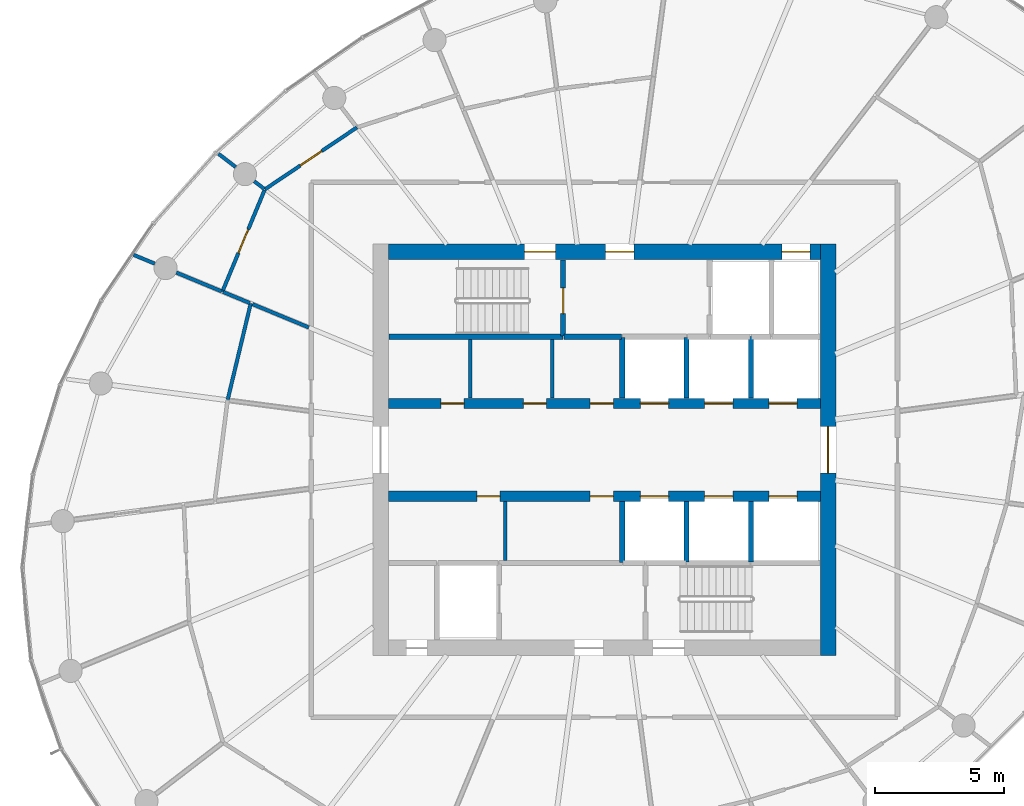
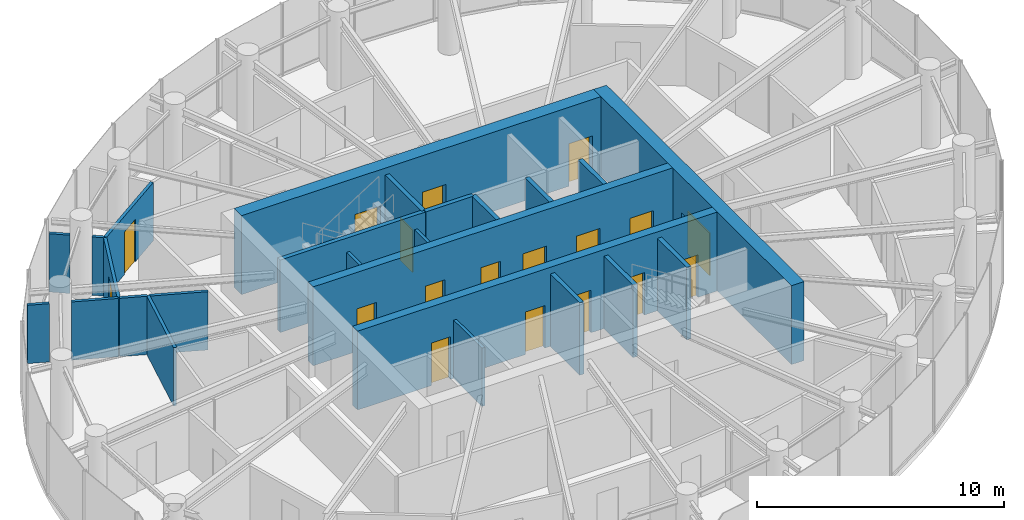
# One storey, part 11 of 15: 25 walls, 18 doors, 18 openings.
"""IFC4 building model written with IfcOpenShell, lengths in metres."""

from ifc_helpers import new_model, si_unit, direction, frame, frame_2d, origin, place, context, subcontext, project, spatial, rectangle, extrude, source, transform, mapped, material, layer, layer_set, type_object, element, fill, save


model = new_model("IFC4")

# Units and contexts
model_context = context("Model", 3, precision=1e-05, world=origin(), true_north=direction((0.0, 1.0)))
body_context = subcontext(model_context, "Body", "Model", "MODEL_VIEW")
ifc_project = project(units=[si_unit("LENGTHUNIT", "METRE"), si_unit("AREAUNIT", "SQUARE_METRE"), si_unit("VOLUMEUNIT", "CUBIC_METRE"), si_unit("PLANEANGLEUNIT", "RADIAN"), si_unit("MASSUNIT", "GRAM", prefix="KILO")], contexts=[model_context])

# Site, building, storey
site_placement = place(None, origin())
site = spatial("IfcSite", under=ifc_project, at=site_placement, CompositionType="ELEMENT")
building_placement = place(site_placement, origin())
building = spatial("IfcBuilding", under=site, at=building_placement, Name="Spindrift Exchange Tower", CompositionType="ELEMENT")
storey_placement = place(building_placement, frame((0.0, 0.0, 191.60009765625)))
storey = spatial("IfcBuildingStorey", under=building, at=storey_placement, Name="L46", CompositionType="ELEMENT", Elevation=191.60009765625)

# Wall, opening, door
ifc_material_1 = material(Name="Concrete 50 MPa", Category="concrete")
ifc_layer_1 = layer(ifc_material_1, 0.60009765625)
ifc_layer_set_1 = layer_set([ifc_layer_1], Name="RC Core Wall 600 Concrete 50 MPa")
wall_type_1 = type_object("IfcWallType", Name="RC Core Wall 600 Concrete 50 MPa", PredefinedType="SHEAR", material=ifc_layer_set_1)
wall_1_placement = place(storey_placement, frame((60.699951171875, 40.0, 0.0), z_axis=(0.0, 0.0, 1.0), x_axis=(0.0, 1.0, 0.0)))
wall_1 = element("IfcWall", 1, at=wall_1_placement, inside=storey, type_object=wall_type_1, Name="Core wall E L46", PredefinedType="SHEAR", context=body_context, shape_type="SweptSolid", body=[
    extrude(rectangle(XDim=16.0, YDim=0.60009765625, at=frame_2d((8.0, 0.0))), origin(), (0.0, 0.0, 1.0), 3.89990234375),
])
opening_1_placement = place(wall_1_placement, frame((7.10009765625, 0.0, 0.0)))
opening_1 = element("IfcOpeningElement", 2, at=opening_1_placement, cuts=wall_1, Name="Opening L46-D2", PredefinedType="OPENING", context=body_context, shape_type="SweptSolid", body=[
    extrude(rectangle(XDim=1.800048828125, YDim=2.10009765625, at=frame_2d((0.89990234375, 1.050048828125))), frame((0.0, 0.31005859375, 0.0), z_axis=(0.0, -1.0, 0.0), x_axis=(1.0, 0.0, 0.0)), (0.0, 0.0, 1.0), 0.6201171875),
])
ifc_material_2 = material(Name="Timber-core fire door", Category="wood")
door_type_1 = type_object("IfcDoorType", Name="DR-LOBBY-1800", OperationType="NOTDEFINED", PredefinedType="DOOR", material=ifc_material_2)
shared_shape_1 = source(origin(), body_context, "Body", "SweptSolid", [
    extrude(rectangle(XDim=1.800048828125, YDim=2.10009765625, at=frame_2d((0.89990234375, 1.050048828125))), frame((0.0, 0.02490234375, 0.0), z_axis=(0.0, -1.0, 0.0), x_axis=(1.0, 0.0, 0.0)), (0.0, 0.0, 1.0), 0.050048828125),
])
door_1_placement = place(opening_1_placement, origin())
door_1 = element("IfcDoor", 3, at=door_1_placement, inside=storey, type_object=door_type_1, Name="L46 Lobby door 2", OperationType="SINGLE_SWING_LEFT", OverallHeight=2.10009765625, OverallWidth=1.800048828125, PredefinedType="DOOR", context=body_context, shape_type="MappedRepresentation", body=[
    mapped(shared_shape_1, transform((0.0, 0.0, 0.0), scale=1.0)),
])
fill(opening_1, door_1)

# Wall, openings, doors
wall_2_placement = place(storey_placement, frame((60.39990234375, 55.699951171875, 0.0), z_axis=(0.0, 0.0, 1.0), x_axis=(-1.0, 0.0, 0.0)))
wall_2 = element("IfcWall", 4, at=wall_2_placement, inside=storey, type_object=wall_type_1, Name="Core wall N L46", PredefinedType="SHEAR", context=body_context, shape_type="SweptSolid", body=[
    extrude(rectangle(XDim=16.7998046875, YDim=0.60009765625, at=frame_2d((8.39990234375, 0.0))), origin(), (0.0, 0.0, 1.0), 3.89990234375),
])
opening_2_placement = place(wall_2_placement, frame((0.39990234375, 0.0, 0.0)))
opening_2 = element("IfcOpeningElement", 5, at=opening_2_placement, cuts=wall_2, Name="Opening L46-D11", PredefinedType="OPENING", context=body_context, shape_type="SweptSolid", body=[
    extrude(rectangle(XDim=1.10009765625, YDim=2.10009765625, at=frame_2d((0.550048828125, 1.050048828125))), frame((0.0, 0.31005859375, 0.0), z_axis=(0.0, -1.0, 0.0), x_axis=(1.0, 0.0, 0.0)), (0.0, 0.0, 1.0), 0.6201171875),
])
opening_3_placement = place(wall_2_placement, frame((10.300048828125, 0.0, 0.0)))
opening_3 = element("IfcOpeningElement", 6, at=opening_3_placement, cuts=wall_2, Name="Opening L46-D12", PredefinedType="OPENING", context=body_context, shape_type="SweptSolid", body=[
    extrude(rectangle(XDim=1.199951171875, YDim=2.10009765625, at=frame_2d((0.60009765625, 1.050048828125))), frame((0.0, 0.31005859375, 0.0), z_axis=(0.0, -1.0, 0.0), x_axis=(1.0, 0.0, 0.0)), (0.0, 0.0, 1.0), 0.6201171875),
])
opening_4_placement = place(wall_2_placement, frame((7.25, 0.0, 0.0)))
opening_4 = element("IfcOpeningElement", 7, at=opening_4_placement, cuts=wall_2, Name="Opening L46-D14", PredefinedType="OPENING", context=body_context, shape_type="SweptSolid", body=[
    extrude(rectangle(XDim=1.10009765625, YDim=2.10009765625, at=frame_2d((0.550048828125, 1.050048828125))), frame((0.0, 0.31005859375, 0.0), z_axis=(0.0, -1.0, 0.0), x_axis=(1.0, 0.0, 0.0)), (0.0, 0.0, 1.0), 0.6201171875),
])
ifc_material_3 = material(Name="Stainless steel landing door", Category="steel")
door_type_2 = type_object("IfcDoorType", Name="DR-LANDING-1100-SL", OperationType="DOUBLE_DOOR_SLIDING", PredefinedType="USERDEFINED", material=ifc_material_3)
shared_shape_2 = source(origin(), body_context, "Body", "SweptSolid", [
    extrude(rectangle(XDim=1.10009765625, YDim=2.10009765625, at=frame_2d((0.550048828125, 1.050048828125))), frame((0.0, 0.02490234375, 0.0), z_axis=(0.0, -1.0, 0.0), x_axis=(1.0, 0.0, 0.0)), (0.0, 0.0, 1.0), 0.050048828125),
])
door_2_placement = place(opening_2_placement, origin())
door_2 = element("IfcDoor", 8, at=door_2_placement, inside=storey, type_object=door_type_2, Name="L46 Lift landing door 11", ObjectType="LANDING DOOR", OperationType="DOUBLE_DOOR_SLIDING", OverallHeight=2.10009765625, OverallWidth=1.10009765625, PredefinedType="USERDEFINED", context=body_context, shape_type="MappedRepresentation", body=[
    mapped(shared_shape_2, transform((0.0, 0.0, 0.0), scale=1.0)),
])
fill(opening_2, door_2)
ifc_material_4 = material(Name="Steel fire door", Category="steel")
door_type_3 = type_object("IfcDoorType", Name="DR-STAIR-1200", OperationType="NOTDEFINED", PredefinedType="DOOR", material=ifc_material_4)
shared_shape_3 = source(origin(), body_context, "Body", "SweptSolid", [
    extrude(rectangle(XDim=1.199951171875, YDim=2.10009765625, at=frame_2d((0.60009765625, 1.050048828125))), frame((0.0, 0.02490234375, 0.0), z_axis=(0.0, -1.0, 0.0), x_axis=(1.0, 0.0, 0.0)), (0.0, 0.0, 1.0), 0.050048828125),
])
door_3_placement = place(opening_3_placement, origin())
door_3 = element("IfcDoor", 9, at=door_3_placement, inside=storey, type_object=door_type_3, Name="L46 Stair door 12", OperationType="SINGLE_SWING_RIGHT", OverallHeight=2.10009765625, OverallWidth=1.199951171875, PredefinedType="DOOR", context=body_context, shape_type="MappedRepresentation", body=[
    mapped(shared_shape_3, transform((0.0, 0.0, 0.0), scale=1.0)),
])
fill(opening_3, door_3)
door_type_4 = type_object("IfcDoorType", Name="DR-LOBBY-1100", OperationType="NOTDEFINED", PredefinedType="DOOR", material=ifc_material_2)
shared_shape_4 = source(origin(), body_context, "Body", "SweptSolid", [
    extrude(rectangle(XDim=1.10009765625, YDim=2.10009765625, at=frame_2d((0.550048828125, 1.050048828125))), frame((0.0, 0.02490234375, 0.0), z_axis=(0.0, -1.0, 0.0), x_axis=(1.0, 0.0, 0.0)), (0.0, 0.0, 1.0), 0.050048828125),
])
door_4_placement = place(opening_4_placement, origin())
door_4 = element("IfcDoor", 10, at=door_4_placement, inside=storey, type_object=door_type_4, Name="L46 Lobby door 14", OperationType="SINGLE_SWING_RIGHT", OverallHeight=2.10009765625, OverallWidth=1.10009765625, PredefinedType="DOOR", context=body_context, shape_type="MappedRepresentation", body=[
    mapped(shared_shape_4, transform((0.0, 0.0, 0.0), scale=1.0)),
])
fill(opening_4, door_4)

ifc_layer_2 = layer(ifc_material_1, 0.39990234375)
ifc_layer_set_2 = layer_set([ifc_layer_2], Name="RC Spine Wall 400 Concrete 50 MPa")
wall_type_2 = type_object("IfcWallType", Name="RC Spine Wall 400 Concrete 50 MPa", PredefinedType="SHEAR", material=ifc_layer_set_2)
wall_3_placement = place(storey_placement, frame((43.60009765625, 49.800048828125, 0.0), z_axis=(0.0, 0.0, 1.0), x_axis=(1.0, 0.0, 0.0)))
wall_3 = element("IfcWall", 11, at=wall_3_placement, inside=storey, type_object=wall_type_2, Name="Core spine wall N L46", PredefinedType="SHEAR", context=body_context, shape_type="SweptSolid", body=[
    extrude(rectangle(XDim=16.7998046875, YDim=0.39990234375, at=frame_2d((8.39990234375, 0.0))), origin(), (0.0, 0.0, 1.0), 3.89990234375),
])
opening_5_placement = place(wall_3_placement, frame((9.800048828125, 0.0, 0.0)))
opening_5 = element("IfcOpeningElement", 12, at=opening_5_placement, cuts=wall_3, Name="Opening L46-D3", PredefinedType="OPENING", context=body_context, shape_type="SweptSolid", body=[
    extrude(rectangle(XDim=1.10009765625, YDim=2.10009765625, at=frame_2d((0.550048828125, 1.050048828125))), frame((0.0, 0.2099609375, 0.0), z_axis=(0.0, -1.0, 0.0), x_axis=(1.0, 0.0, 0.0)), (0.0, 0.0, 1.0), 0.419921875),
])
opening_6_placement = place(wall_3_placement, frame((12.300048828125, 0.0, 0.0)))
opening_6 = element("IfcOpeningElement", 13, at=opening_6_placement, cuts=wall_3, Name="Opening L46-D4", PredefinedType="OPENING", context=body_context, shape_type="SweptSolid", body=[
    extrude(rectangle(XDim=1.10009765625, YDim=2.10009765625, at=frame_2d((0.550048828125, 1.050048828125))), frame((0.0, 0.2099609375, 0.0), z_axis=(0.0, -1.0, 0.0), x_axis=(1.0, 0.0, 0.0)), (0.0, 0.0, 1.0), 0.419921875),
])
opening_7_placement = place(wall_3_placement, frame((14.800048828125, 0.0, 0.0)))
opening_7 = element("IfcOpeningElement", 14, at=opening_7_placement, cuts=wall_3, Name="Opening L46-D5", PredefinedType="OPENING", context=body_context, shape_type="SweptSolid", body=[
    extrude(rectangle(XDim=1.10009765625, YDim=2.10009765625, at=frame_2d((0.550048828125, 1.050048828125))), frame((0.0, 0.2099609375, 0.0), z_axis=(0.0, -1.0, 0.0), x_axis=(1.0, 0.0, 0.0)), (0.0, 0.0, 1.0), 0.419921875),
])
opening_8_placement = place(wall_3_placement, frame((2.050048828125, 0.0, 0.0)))
opening_8 = element("IfcOpeningElement", 15, at=opening_8_placement, cuts=wall_3, Name="Opening L46-D50", PredefinedType="OPENING", context=body_context, shape_type="SweptSolid", body=[
    extrude(rectangle(XDim=0.89990234375, YDim=2.10009765625, at=frame_2d((0.449951171875, 1.050048828125))), frame((0.0, 0.2099609375, 0.0), z_axis=(0.0, -1.0, 0.0), x_axis=(1.0, 0.0, 0.0)), (0.0, 0.0, 1.0), 0.419921875),
])
opening_9_placement = place(wall_3_placement, frame((5.25, 0.0, 0.0)))
opening_9 = element("IfcOpeningElement", 16, at=opening_9_placement, cuts=wall_3, Name="Opening L46-D51", PredefinedType="OPENING", context=body_context, shape_type="SweptSolid", body=[
    extrude(rectangle(XDim=0.89990234375, YDim=2.10009765625, at=frame_2d((0.449951171875, 1.050048828125))), frame((0.0, 0.2099609375, 0.0), z_axis=(0.0, -1.0, 0.0), x_axis=(1.0, 0.0, 0.0)), (0.0, 0.0, 1.0), 0.419921875),
])
opening_10_placement = place(wall_3_placement, frame((7.85009765625, 0.0, 0.0)))
opening_10 = element("IfcOpeningElement", 17, at=opening_10_placement, cuts=wall_3, Name="Opening L46-D52", PredefinedType="OPENING", context=body_context, shape_type="SweptSolid", body=[
    extrude(rectangle(XDim=0.89990234375, YDim=2.10009765625, at=frame_2d((0.449951171875, 1.050048828125))), frame((0.0, 0.2099609375, 0.0), z_axis=(0.0, -1.0, 0.0), x_axis=(1.0, 0.0, 0.0)), (0.0, 0.0, 1.0), 0.419921875),
])
door_5_placement = place(opening_5_placement, origin())
door_5 = element("IfcDoor", 18, at=door_5_placement, inside=storey, type_object=door_type_2, Name="L46 Lift landing door 3", ObjectType="LANDING DOOR", OperationType="DOUBLE_DOOR_SLIDING", OverallHeight=2.10009765625, OverallWidth=1.10009765625, PredefinedType="USERDEFINED", context=body_context, shape_type="MappedRepresentation", body=[
    mapped(shared_shape_2, transform((0.0, 0.0, 0.0), scale=1.0)),
])
fill(opening_5, door_5)
door_6_placement = place(opening_6_placement, origin())
door_6 = element("IfcDoor", 19, at=door_6_placement, inside=storey, type_object=door_type_2, Name="L46 Lift landing door 4", ObjectType="LANDING DOOR", OperationType="DOUBLE_DOOR_SLIDING", OverallHeight=2.10009765625, OverallWidth=1.10009765625, PredefinedType="USERDEFINED", context=body_context, shape_type="MappedRepresentation", body=[
    mapped(shared_shape_2, transform((0.0, 0.0, 0.0), scale=1.0)),
])
fill(opening_6, door_6)
door_7_placement = place(opening_7_placement, origin())
door_7 = element("IfcDoor", 20, at=door_7_placement, inside=storey, type_object=door_type_2, Name="L46 Lift landing door 5", ObjectType="LANDING DOOR", OperationType="DOUBLE_DOOR_SLIDING", OverallHeight=2.10009765625, OverallWidth=1.10009765625, PredefinedType="USERDEFINED", context=body_context, shape_type="MappedRepresentation", body=[
    mapped(shared_shape_2, transform((0.0, 0.0, 0.0), scale=1.0)),
])
fill(opening_7, door_7)
ifc_material_5 = material(Name="Steel access door", Category="steel")
door_type_5 = type_object("IfcDoorType", Name="DR-RISER-900", OperationType="NOTDEFINED", PredefinedType="DOOR", material=ifc_material_5)
shared_shape_5 = source(origin(), body_context, "Body", "SweptSolid", [
    extrude(rectangle(XDim=0.89990234375, YDim=2.10009765625, at=frame_2d((0.449951171875, 1.050048828125))), frame((0.0, 0.02490234375, 0.0), z_axis=(0.0, -1.0, 0.0), x_axis=(1.0, 0.0, 0.0)), (0.0, 0.0, 1.0), 0.050048828125),
])
door_8_placement = place(opening_8_placement, origin())
door_8 = element("IfcDoor", 21, at=door_8_placement, inside=storey, type_object=door_type_5, Name="L46 Riser door 50", OperationType="SINGLE_SWING_RIGHT", OverallHeight=2.10009765625, OverallWidth=0.89990234375, PredefinedType="DOOR", context=body_context, shape_type="MappedRepresentation", body=[
    mapped(shared_shape_5, transform((0.0, 0.0, 0.0), scale=1.0)),
])
fill(opening_8, door_8)
door_9_placement = place(opening_9_placement, origin())
door_9 = element("IfcDoor", 22, at=door_9_placement, inside=storey, type_object=door_type_5, Name="L46 Riser door 51", OperationType="SINGLE_SWING_LEFT", OverallHeight=2.10009765625, OverallWidth=0.89990234375, PredefinedType="DOOR", context=body_context, shape_type="MappedRepresentation", body=[
    mapped(shared_shape_5, transform((0.0, 0.0, 0.0), scale=1.0)),
])
fill(opening_9, door_9)
door_10_placement = place(opening_10_placement, origin())
door_10 = element("IfcDoor", 23, at=door_10_placement, inside=storey, type_object=door_type_5, Name="L46 Riser door 52", OperationType="SINGLE_SWING_RIGHT", OverallHeight=2.10009765625, OverallWidth=0.89990234375, PredefinedType="DOOR", context=body_context, shape_type="MappedRepresentation", body=[
    mapped(shared_shape_5, transform((0.0, 0.0, 0.0), scale=1.0)),
])
fill(opening_10, door_10)

wall_4_placement = place(storey_placement, frame((43.60009765625, 46.199951171875, 0.0), z_axis=(0.0, 0.0, 1.0), x_axis=(1.0, 0.0, 0.0)))
wall_4 = element("IfcWall", 24, at=wall_4_placement, inside=storey, type_object=wall_type_2, Name="Core spine wall S L46", PredefinedType="SHEAR", context=body_context, shape_type="SweptSolid", body=[
    extrude(rectangle(XDim=16.7998046875, YDim=0.39990234375, at=frame_2d((8.39990234375, 0.0))), origin(), (0.0, 0.0, 1.0), 3.89990234375),
])
opening_11_placement = place(wall_4_placement, frame((9.800048828125, 0.0, 0.0)))
opening_11 = element("IfcOpeningElement", 25, at=opening_11_placement, cuts=wall_4, Name="Opening L46-D6", PredefinedType="OPENING", context=body_context, shape_type="SweptSolid", body=[
    extrude(rectangle(XDim=1.10009765625, YDim=2.10009765625, at=frame_2d((0.550048828125, 1.050048828125))), frame((0.0, 0.2099609375, 0.0), z_axis=(0.0, -1.0, 0.0), x_axis=(1.0, 0.0, 0.0)), (0.0, 0.0, 1.0), 0.419921875),
])
opening_12_placement = place(wall_4_placement, frame((12.300048828125, 0.0, 0.0)))
opening_12 = element("IfcOpeningElement", 26, at=opening_12_placement, cuts=wall_4, Name="Opening L46-D7", PredefinedType="OPENING", context=body_context, shape_type="SweptSolid", body=[
    extrude(rectangle(XDim=1.10009765625, YDim=2.10009765625, at=frame_2d((0.550048828125, 1.050048828125))), frame((0.0, 0.2099609375, 0.0), z_axis=(0.0, -1.0, 0.0), x_axis=(1.0, 0.0, 0.0)), (0.0, 0.0, 1.0), 0.419921875),
])
opening_13_placement = place(wall_4_placement, frame((14.800048828125, 0.0, 0.0)))
opening_13 = element("IfcOpeningElement", 27, at=opening_13_placement, cuts=wall_4, Name="Opening L46-D8", PredefinedType="OPENING", context=body_context, shape_type="SweptSolid", body=[
    extrude(rectangle(XDim=1.10009765625, YDim=2.10009765625, at=frame_2d((0.550048828125, 1.050048828125))), frame((0.0, 0.2099609375, 0.0), z_axis=(0.0, -1.0, 0.0), x_axis=(1.0, 0.0, 0.0)), (0.0, 0.0, 1.0), 0.419921875),
])
opening_14_placement = place(wall_4_placement, frame((3.449951171875, 0.0, 0.0)))
opening_14 = element("IfcOpeningElement", 28, at=opening_14_placement, cuts=wall_4, Name="Opening L46-D53", PredefinedType="OPENING", context=body_context, shape_type="SweptSolid", body=[
    extrude(rectangle(XDim=0.89990234375, YDim=2.10009765625, at=frame_2d((0.449951171875, 1.050048828125))), frame((0.0, 0.2099609375, 0.0), z_axis=(0.0, -1.0, 0.0), x_axis=(1.0, 0.0, 0.0)), (0.0, 0.0, 1.0), 0.419921875),
])
opening_15_placement = place(wall_4_placement, frame((7.85009765625, 0.0, 0.0)))
opening_15 = element("IfcOpeningElement", 29, at=opening_15_placement, cuts=wall_4, Name="Opening L46-D54", PredefinedType="OPENING", context=body_context, shape_type="SweptSolid", body=[
    extrude(rectangle(XDim=0.89990234375, YDim=2.10009765625, at=frame_2d((0.449951171875, 1.050048828125))), frame((0.0, 0.2099609375, 0.0), z_axis=(0.0, -1.0, 0.0), x_axis=(1.0, 0.0, 0.0)), (0.0, 0.0, 1.0), 0.419921875),
])
door_11_placement = place(opening_11_placement, origin())
door_11 = element("IfcDoor", 30, at=door_11_placement, inside=storey, type_object=door_type_2, Name="L46 Lift landing door 6", ObjectType="LANDING DOOR", OperationType="DOUBLE_DOOR_SLIDING", OverallHeight=2.10009765625, OverallWidth=1.10009765625, PredefinedType="USERDEFINED", context=body_context, shape_type="MappedRepresentation", body=[
    mapped(shared_shape_2, transform((0.0, 0.0, 0.0), scale=1.0)),
])
fill(opening_11, door_11)
door_12_placement = place(opening_12_placement, origin())
door_12 = element("IfcDoor", 31, at=door_12_placement, inside=storey, type_object=door_type_2, Name="L46 Lift landing door 7", ObjectType="LANDING DOOR", OperationType="DOUBLE_DOOR_SLIDING", OverallHeight=2.10009765625, OverallWidth=1.10009765625, PredefinedType="USERDEFINED", context=body_context, shape_type="MappedRepresentation", body=[
    mapped(shared_shape_2, transform((0.0, 0.0, 0.0), scale=1.0)),
])
fill(opening_12, door_12)
door_13_placement = place(opening_13_placement, origin())
door_13 = element("IfcDoor", 32, at=door_13_placement, inside=storey, type_object=door_type_2, Name="L46 Lift landing door 8", ObjectType="LANDING DOOR", OperationType="DOUBLE_DOOR_SLIDING", OverallHeight=2.10009765625, OverallWidth=1.10009765625, PredefinedType="USERDEFINED", context=body_context, shape_type="MappedRepresentation", body=[
    mapped(shared_shape_2, transform((0.0, 0.0, 0.0), scale=1.0)),
])
fill(opening_13, door_13)
door_14_placement = place(opening_14_placement, origin())
door_14 = element("IfcDoor", 33, at=door_14_placement, inside=storey, type_object=door_type_5, Name="L46 Riser door 53", OperationType="SINGLE_SWING_LEFT", OverallHeight=2.10009765625, OverallWidth=0.89990234375, PredefinedType="DOOR", context=body_context, shape_type="MappedRepresentation", body=[
    mapped(shared_shape_5, transform((0.0, 0.0, 0.0), scale=1.0)),
])
fill(opening_14, door_14)
door_15_placement = place(opening_15_placement, origin())
door_15 = element("IfcDoor", 34, at=door_15_placement, inside=storey, type_object=door_type_5, Name="L46 Riser door 54", OperationType="SINGLE_SWING_RIGHT", OverallHeight=2.10009765625, OverallWidth=0.89990234375, PredefinedType="DOOR", context=body_context, shape_type="MappedRepresentation", body=[
    mapped(shared_shape_5, transform((0.0, 0.0, 0.0), scale=1.0)),
])
fill(opening_15, door_15)

# Wall, opening, door
ifc_material_6 = material(Name="Fire-rated plasterboard partition", Category="gypsum")
ifc_layer_3 = layer(ifc_material_6, 0.139892578125)
ifc_layer_set_3 = layer_set([ifc_layer_3], Name="W-PART-140")
wall_type_3 = type_object("IfcWallType", Name="W-PART-140", PredefinedType="PARTITIONING", material=ifc_layer_set_3)
wall_5_placement = place(storey_placement, frame((38.80126953125, 58.127685546875, 0.0), z_axis=(0.0, 0.0, 1.0), x_axis=(0.829508088587, 0.558494700932, 0.0)))
wall_5 = element("IfcWall", 35, at=wall_5_placement, inside=storey, type_object=wall_type_3, Name="L46 Partition wall 43", PredefinedType="PARTITIONING", context=body_context, shape_type="SweptSolid", body=[
    extrude(rectangle(XDim=4.314208984375, YDim=0.139892578125, at=frame_2d((2.1572265625, 0.0))), origin(), (0.0, 0.0, 1.0), 2.8798828125),
])
opening_16_placement = place(wall_5_placement, frame((1.664306640625, 0.0, 0.0)))
opening_16 = element("IfcOpeningElement", 36, at=opening_16_placement, cuts=wall_5, Name="Opening L46-D48", PredefinedType="OPENING", context=body_context, shape_type="SweptSolid", body=[
    extrude(rectangle(XDim=1.0, YDim=2.10009765625, at=frame_2d((0.5, 1.050048828125))), frame((0.0, 0.079833984375, 0.0), z_axis=(0.0, -1.0, 0.0), x_axis=(1.0, 0.0, 0.0)), (0.0, 0.0, 1.0), 0.159912109375),
])
door_type_6 = type_object("IfcDoorType", Name="DR-ROOM-1000", OperationType="NOTDEFINED", PredefinedType="DOOR", material=ifc_material_2)
shared_shape_6 = source(origin(), body_context, "Body", "SweptSolid", [
    extrude(rectangle(XDim=1.0, YDim=2.10009765625, at=frame_2d((0.5, 1.050048828125))), frame((0.0, 0.02490234375, 0.0), z_axis=(0.0, -1.0, 0.0), x_axis=(1.0, 0.0, 0.0)), (0.0, 0.0, 1.0), 0.050048828125),
])
door_16_placement = place(opening_16_placement, origin())
door_16 = element("IfcDoor", 37, at=door_16_placement, inside=storey, type_object=door_type_6, Name="L46 Door 48", OperationType="SINGLE_SWING_RIGHT", OverallHeight=2.10009765625, OverallWidth=1.0, PredefinedType="DOOR", context=body_context, shape_type="MappedRepresentation", body=[
    mapped(shared_shape_6, transform((0.0, 0.0, 0.0), scale=1.0)),
])
fill(opening_16, door_16)

wall_6_placement = place(storey_placement, frame((37.148681640625, 54.151611328125, 0.0), z_axis=(0.0, 0.0, 1.0), x_axis=(0.383800347623, 0.923416099689, 0.0)))
wall_6 = element("IfcWall", 38, at=wall_6_placement, inside=storey, type_object=wall_type_3, Name="L46 Partition wall 44", PredefinedType="PARTITIONING", context=body_context, shape_type="SweptSolid", body=[
    extrude(rectangle(XDim=4.27587890625, YDim=0.139892578125, at=frame_2d((2.137939453125, 0.0))), origin(), (0.0, 0.0, 1.0), 2.8798828125),
])
opening_17_placement = place(wall_6_placement, frame((1.6259765625, 0.0, 0.0)))
opening_17 = element("IfcOpeningElement", 39, at=opening_17_placement, cuts=wall_6, Name="Opening L46-D49", PredefinedType="OPENING", context=body_context, shape_type="SweptSolid", body=[
    extrude(rectangle(XDim=1.0, YDim=2.10009765625, at=frame_2d((0.5, 1.050048828125))), frame((0.0, 0.079833984375, 0.0), z_axis=(0.0, -1.0, 0.0), x_axis=(1.0, 0.0, 0.0)), (0.0, 0.0, 1.0), 0.159912109375),
])
door_17_placement = place(opening_17_placement, origin())
door_17 = element("IfcDoor", 40, at=door_17_placement, inside=storey, type_object=door_type_6, Name="L46 Door 49", OperationType="SINGLE_SWING_LEFT", OverallHeight=2.10009765625, OverallWidth=1.0, PredefinedType="DOOR", context=body_context, shape_type="MappedRepresentation", body=[
    mapped(shared_shape_6, transform((0.0, 0.0, 0.0), scale=1.0)),
])
fill(opening_17, door_17)

# Walls
wall_7_placement = place(storey_placement, frame((38.25244140625, 53.6943359375, 0.0), z_axis=(0.0, 0.0, 1.0), x_axis=(-0.232699959373, -0.972548574061, 0.0)))
element("IfcWall", 41, at=wall_7_placement, inside=storey, type_object=wall_type_3, Name="L46 Partition wall 56", PredefinedType="PARTITIONING", context=body_context, shape_type="SweptSolid", body=[
    extrude(rectangle(XDim=3.842041015625, YDim=0.139892578125, at=frame_2d((1.9208984375, 0.0))), origin(), (0.0, 0.0, 1.0), 2.8798828125),
])
wall_8_placement = place(storey_placement, frame((40.510009765625, 52.75927734375, 0.0), z_axis=(0.0, 0.0, 1.0), x_axis=(-0.923887665709, 0.3826637965, 0.0)))
element("IfcWall", 42, at=wall_8_placement, inside=storey, type_object=wall_type_3, Name="L46 Partition wall 73", PredefinedType="PARTITIONING", context=body_context, shape_type="SweptSolid", body=[
    extrude(rectangle(XDim=2.372802734375, YDim=0.139892578125, at=frame_2d((1.1865234375, 0.0))), origin(), (0.0, 0.0, 1.0), 2.8798828125),
])
for number, where, z_axis, x_axis, name in (
    (43, (46.784912109375, 50.010009765625, 0.0), (0.0, 0.0, 1.0), (0.0, 1.0, 0.0), "L46 Partition wall 76"),
    (44, (48.14990234375, 43.699951171875, 0.0), (0.0, 0.0, 1.0), (0.0, 1.0, 0.0), "L46 Partition wall 77"),
    (45, (49.969970703125, 50.010009765625, 0.0), (0.0, 0.0, 1.0), (0.0, 1.0, 0.0), "L46 Partition wall 78"),
):
    element("IfcWall", number, at=place(storey_placement, frame(where, z_axis=z_axis, x_axis=x_axis)), inside=storey, type_object=wall_type_3, Name=name, PredefinedType="PARTITIONING", context=body_context, shape_type="SweptSolid", body=[
        extrude(rectangle(XDim=2.2900390625, YDim=0.139892578125, at=frame_2d((1.14501953125, 0.0))), origin(), (0.0, 0.0, 1.0), 2.8798828125),
    ])
wall_9_placement = place(storey_placement, frame((37.12109375, 54.1630859375, 0.0), z_axis=(0.0, 0.0, 1.0), x_axis=(-0.92388250353, 0.382676259612, 0.0)))
element("IfcWall", 46, at=wall_9_placement, inside=storey, type_object=wall_type_3, Name="L46 Partition wall 81", PredefinedType="PARTITIONING", context=body_context, shape_type="SweptSolid", body=[
    extrude(rectangle(XDim=1.905029296875, YDim=0.139892578125, at=frame_2d((0.95263671875, 0.0))), origin(), (0.0, 0.0, 1.0), 2.8798828125),
])
wall_10_placement = place(storey_placement, frame((38.224853515625, 53.705810546875, 0.0), z_axis=(0.0, 0.0, 1.0), x_axis=(-0.923851616337, 0.382750821021, 0.0)))
element("IfcWall", 47, at=wall_10_placement, inside=storey, type_object=wall_type_3, Name="L46 Partition wall 89", PredefinedType="PARTITIONING", context=body_context, shape_type="SweptSolid", body=[
    extrude(rectangle(XDim=1.134765625, YDim=0.139892578125, at=frame_2d((0.5673828125, 0.0))), origin(), (0.0, 0.0, 1.0), 2.8798828125),
])
wall_11_placement = place(storey_placement, frame((34.520263671875, 55.240478515625, 0.0), z_axis=(0.0, 0.0, 1.0), x_axis=(-0.923869811138, 0.382706900994, 0.0)))
element("IfcWall", 48, at=wall_11_placement, inside=storey, type_object=wall_type_3, Name="L46 Partition wall 102", PredefinedType="PARTITIONING", context=body_context, shape_type="SweptSolid", body=[
    extrude(rectangle(XDim=0.890625, YDim=0.139892578125, at=frame_2d((0.4453125, 0.0))), origin(), (0.0, 0.0, 1.0), 2.8798828125),
])
wall_12_placement = place(storey_placement, frame((37.66845703125, 58.9970703125, 0.0), z_axis=(0.0, 0.0, 1.0), x_axis=(-0.793390985662, 0.608712365466, 0.0)))
element("IfcWall", 49, at=wall_12_placement, inside=storey, type_object=wall_type_3, Name="L46 Partition wall 105", PredefinedType="PARTITIONING", context=body_context, shape_type="SweptSolid", body=[
    extrude(rectangle(XDim=0.83935546875, YDim=0.139892578125, at=frame_2d((0.419677734375, 0.0))), origin(), (0.0, 0.0, 1.0), 2.8798828125),
])
wall_13_placement = place(storey_placement, frame((38.77734375, 58.14599609375, 0.0), z_axis=(0.0, 0.0, 1.0), x_axis=(-0.793236381763, 0.608913822021, 0.0)))
element("IfcWall", 50, at=wall_13_placement, inside=storey, type_object=wall_type_3, Name="L46 Partition wall 111", PredefinedType="PARTITIONING", context=body_context, shape_type="SweptSolid", body=[
    extrude(rectangle(XDim=0.48876953125, YDim=0.139892578125, at=frame_2d((0.244384765625, 0.0))), origin(), (0.0, 0.0, 1.0), 2.8798828125),
])
ifc_material_7 = material(Name="Concrete 40 MPa", Category="concrete")
ifc_layer_4 = layer(ifc_material_7, 0.199951171875)
ifc_layer_set_4 = layer_set([ifc_layer_4], Name="W-SHAFT-200")
wall_type_4 = type_object("IfcWallType", Name="W-SHAFT-200", PredefinedType="SOLIDWALL", material=ifc_layer_set_4)
for number, where, z_axis, x_axis, name in (
    (51, (52.699951171875, 45.989990234375, 0.0), (0.0, 0.0, 1.0), (0.0, -1.0, 0.0), "L46 Shaft wall 13"),
    (52, (52.699951171875, 52.3701171875, 0.0), (0.0, 0.0, 1.0), (0.0, -1.0, 0.0), "L46 Shaft wall 14"),
    (53, (55.199951171875, 50.010009765625, 0.0), (0.0, 0.0, 1.0), (0.0, 1.0, 0.0), "L46 Shaft wall 16"),
):
    element("IfcWall", number, at=place(storey_placement, frame(where, z_axis=z_axis, x_axis=x_axis)), inside=storey, type_object=wall_type_4, Name=name, PredefinedType="SOLIDWALL", context=body_context, shape_type="SweptSolid", body=[
        extrude(rectangle(XDim=2.360107421875, YDim=0.199951171875, at=frame_2d((1.18017578125, 0.0))), origin(), (0.0, 0.0, 1.0), 3.579833984375),
    ])
wall_14_placement = place(storey_placement, frame((57.699951171875, 50.010009765625, 0.0), z_axis=(0.0, 0.0, 1.0), x_axis=(0.0, 1.0, 0.0)))
element("IfcWall", 54, at=wall_14_placement, inside=storey, type_object=wall_type_4, Name="L46 Shaft wall 18", PredefinedType="SOLIDWALL", context=body_context, shape_type="SweptSolid", body=[
    extrude(rectangle(XDim=2.389892578125, YDim=0.199951171875, at=frame_2d((1.19482421875, 0.0))), origin(), (0.0, 0.0, 1.0), 3.579833984375),
])
ifc_layer_5 = layer(ifc_material_7, 0.199951171875)
ifc_layer_set_5 = layer_set([ifc_layer_5], Name="W-SHAFT-200-LB")
wall_type_5 = type_object("IfcWallType", Name="W-SHAFT-200-LB", PredefinedType="SOLIDWALL", material=ifc_layer_set_5)
wall_15_placement = place(storey_placement, frame((43.6201171875, 52.39990234375, 0.0), z_axis=(0.0, 0.0, 1.0), x_axis=(1.0, 0.0, 0.0)))
element("IfcWall", 55, at=wall_15_placement, inside=storey, type_object=wall_type_5, Name="L46 Shaft wall 1", PredefinedType="SOLIDWALL", context=body_context, shape_type="SweptSolid", body=[
    extrude(rectangle(XDim=6.77978515625, YDim=0.199951171875, at=frame_2d((3.389892578125, 0.0))), origin(), (0.0, 0.0, 1.0), 3.579833984375),
])

# Wall, opening, door
wall_16_placement = place(storey_placement, frame((50.39990234375, 52.429931640625, 0.0), z_axis=(0.0, 0.0, 1.0), x_axis=(0.0, 1.0, 0.0)))
wall_16 = element("IfcWall", 56, at=wall_16_placement, inside=storey, type_object=wall_type_5, Name="L46 Shaft wall 5", PredefinedType="SOLIDWALL", context=body_context, shape_type="SweptSolid", body=[
    extrude(rectangle(XDim=2.949951171875, YDim=0.199951171875, at=frame_2d((1.47509765625, 0.0))), origin(), (0.0, 0.0, 1.0), 3.579833984375),
])
opening_18_placement = place(wall_16_placement, frame((0.8701171875, 0.0, 0.0)))
opening_18 = element("IfcOpeningElement", 57, at=opening_18_placement, cuts=wall_16, Name="Opening L46-D13", PredefinedType="OPENING", context=body_context, shape_type="SweptSolid", body=[
    extrude(rectangle(XDim=1.0, YDim=2.10009765625, at=frame_2d((0.5, 1.050048828125))), frame((0.0, 0.10986328125, 0.0), z_axis=(0.0, -1.0, 0.0), x_axis=(1.0, 0.0, 0.0)), (0.0, 0.0, 1.0), 0.219970703125),
])
door_type_7 = type_object("IfcDoorType", Name="DR-STAIR-1000", OperationType="NOTDEFINED", PredefinedType="DOOR", material=ifc_material_4)
shared_shape_7 = source(origin(), body_context, "Body", "SweptSolid", [
    extrude(rectangle(XDim=1.0, YDim=2.10009765625, at=frame_2d((0.5, 1.050048828125))), frame((0.0, 0.02490234375, 0.0), z_axis=(0.0, -1.0, 0.0), x_axis=(1.0, 0.0, 0.0)), (0.0, 0.0, 1.0), 0.050048828125),
])
door_18_placement = place(opening_18_placement, origin())
door_18 = element("IfcDoor", 58, at=door_18_placement, inside=storey, type_object=door_type_7, Name="L46 Stair door 13", OperationType="SINGLE_SWING_LEFT", OverallHeight=2.10009765625, OverallWidth=1.0, PredefinedType="DOOR", context=body_context, shape_type="MappedRepresentation", body=[
    mapped(shared_shape_7, transform((0.0, 0.0, 0.0), scale=1.0)),
])
fill(opening_18, door_18)

# Walls
for number, where, z_axis, x_axis, name in (
    (59, (55.199951171875, 43.6298828125, 0.0), (0.0, 0.0, 1.0), (0.0, 1.0, 0.0), "L46 Shaft wall 15"),
    (60, (57.699951171875, 43.6298828125, 0.0), (0.0, 0.0, 1.0), (0.0, 1.0, 0.0), "L46 Shaft wall 17"),
):
    element("IfcWall", number, at=place(storey_placement, frame(where, z_axis=z_axis, x_axis=x_axis)), inside=storey, type_object=wall_type_5, Name=name, PredefinedType="SOLIDWALL", context=body_context, shape_type="SweptSolid", body=[
        extrude(rectangle(XDim=2.360107421875, YDim=0.199951171875, at=frame_2d((1.18017578125, 0.0))), origin(), (0.0, 0.0, 1.0), 3.579833984375),
    ])
wall_17_placement = place(storey_placement, frame((50.429931640625, 52.39990234375, 0.0), z_axis=(0.0, 0.0, 1.0), x_axis=(1.0, 0.0, 0.0)))
element("IfcWall", 61, at=wall_17_placement, inside=storey, type_object=wall_type_5, Name="L46 Shaft wall 19", PredefinedType="SOLIDWALL", context=body_context, shape_type="SweptSolid", body=[
    extrude(rectangle(XDim=2.239990234375, YDim=0.199951171875, at=frame_2d((1.1201171875, 0.0))), origin(), (0.0, 0.0, 1.0), 3.579833984375),
])

save(model, "model.ifc")
